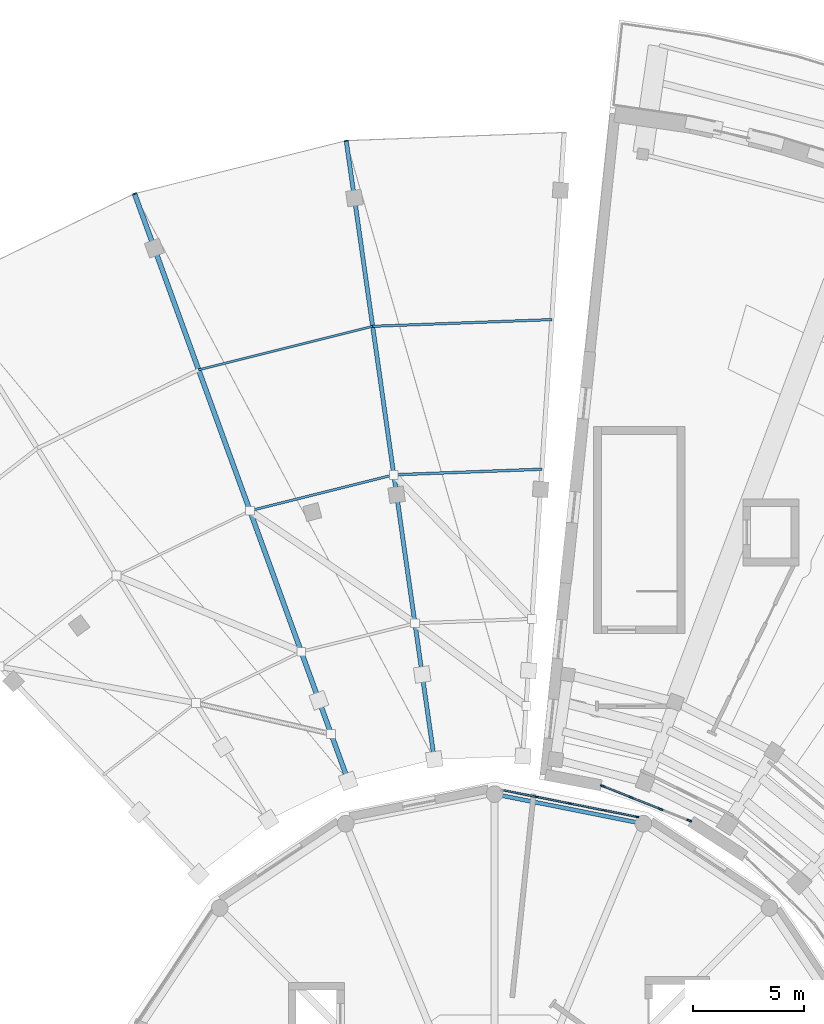
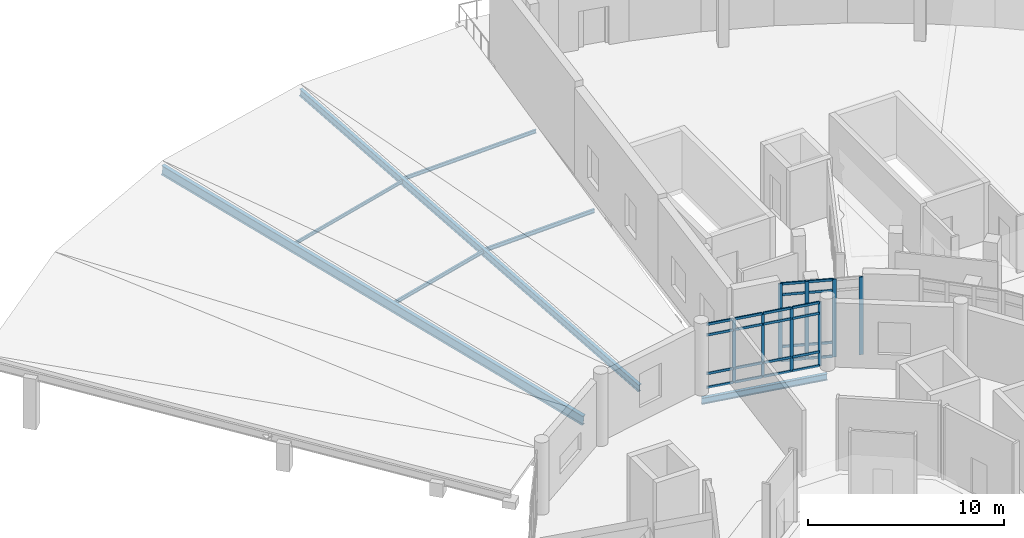
# One storey, part 13 of 27: 36 members, 3 beams, 2 elements without a shape of their own.
"""IFC4 building model written with IfcOpenShell, lengths in metres."""

from ifc_helpers import new_model, si_unit, direction, frame, origin, origin_2d, place, context, subcontext, project, spatial, rectangle, i_section, extrude, material, material_profile, profile_set, type_object, element, aggregate, save


model = new_model("IFC4")

# Units and contexts
model_context = context("Model", 3, precision=1e-05, world=origin(), true_north=direction((0.0, 1.0)))
body_context = subcontext(model_context, "Body", "Model", "MODEL_VIEW")
ifc_project = project(units=[si_unit("LENGTHUNIT", "METRE"), si_unit("AREAUNIT", "SQUARE_METRE"), si_unit("VOLUMEUNIT", "CUBIC_METRE"), si_unit("PLANEANGLEUNIT", "RADIAN"), si_unit("MASSUNIT", "GRAM", prefix="KILO")], contexts=[model_context])

# Site, building, storey
site_placement = place(None, origin())
site = spatial("IfcSite", under=ifc_project, at=site_placement, CompositionType="ELEMENT")
building_placement = place(site_placement, origin())
building = spatial("IfcBuilding", under=site, at=building_placement, Name="Soyqirgoq Riverine Aquarium", CompositionType="ELEMENT")
storey_placement = place(building_placement, frame((0.0, 0.0, 19.800048828125)))
storey = spatial("IfcBuildingStorey", under=building, at=storey_placement, Name="L05", CompositionType="ELEMENT", Elevation=19.800048828125)

# Curtain wall, members
ifc_material_1 = material(Name="Anodised aluminium thermally broken triple low-E glazing", Category="aluminium")
curtain_wall_type_1 = type_object("IfcCurtainWallType", Name="CW_DrumGallery_Unitised", PredefinedType="NOTDEFINED", material=ifc_material_1)
curtain_wall_1_placement = place(storey_placement, origin())
curtain_wall_1 = element("IfcCurtainWall", 1, at=curtain_wall_1_placement, inside=storey, type_object=curtain_wall_type_1, Name="V1 L05 Curtain Wall 016", PredefinedType="NOTDEFINED")
ifc_material_2 = material(Name="Anodised aluminium 6063-T6", Category="aluminium")
ifc_material_profile_1 = material_profile(ifc_material_2, rectangle(XDim=0.06494140625, YDim=0.179931640625, at=origin_2d()), Name="ALU-M 65x180")
ifc_profile_set_1 = profile_set([ifc_material_profile_1], Name="Anodised aluminium 6063-T6")
member_type_1 = type_object("IfcMemberType", Name="CWMullion_65x180", PredefinedType="MULLION", material=ifc_profile_set_1)
member_1_placement = place(storey_placement, frame((62.390380859375, 73.428955078125, 0.0), z_axis=(0.0, 0.0, 1.0), x_axis=(-0.19507834152, -0.980787663396, 0.0)))
member_1 = element("IfcMember", 2, at=member_1_placement, type_object=member_type_1, Name="CW-01 mullion 1", PredefinedType="MULLION", context=body_context, shape_type="SweptSolid", body=[
    extrude(rectangle(XDim=0.06494140625, YDim=0.179931640625, at=origin_2d()), origin(), (0.0, 0.0, 1.0), 4.0),
])
member_2_placement = place(storey_placement, frame((60.904541015625, 73.724365234375, 0.0), z_axis=(0.0, 0.0, 1.0), x_axis=(-0.19507834152, -0.980787663396, 0.0)))
member_2 = element("IfcMember", 3, at=member_2_placement, type_object=member_type_1, Name="CW-01 mullion 2", PredefinedType="MULLION", context=body_context, shape_type="SweptSolid", body=[
    extrude(rectangle(XDim=0.06494140625, YDim=0.179931640625, at=origin_2d()), origin(), (0.0, 0.0, 1.0), 4.0),
])
member_3_placement = place(storey_placement, frame((59.38671875, 74.0263671875, 0.0), z_axis=(0.0, 0.0, 1.0), x_axis=(-0.19507834152, -0.980787663396, 0.0)))
member_3 = element("IfcMember", 4, at=member_3_placement, type_object=member_type_1, Name="CW-01 mullion 3", PredefinedType="MULLION", context=body_context, shape_type="SweptSolid", body=[
    extrude(rectangle(XDim=0.06494140625, YDim=0.179931640625, at=origin_2d()), origin(), (0.0, 0.0, 1.0), 4.0),
])
member_4_placement = place(storey_placement, frame((57.869140625, 74.328125, 0.0), z_axis=(0.0, 0.0, 1.0), x_axis=(-0.19507834152, -0.980787663396, 0.0)))
member_4 = element("IfcMember", 5, at=member_4_placement, type_object=member_type_1, Name="CW-01 mullion 4", PredefinedType="MULLION", context=body_context, shape_type="SweptSolid", body=[
    extrude(rectangle(XDim=0.06494140625, YDim=0.179931640625, at=origin_2d()), origin(), (0.0, 0.0, 1.0), 4.0),
])

ifc_material_3 = material(Name="Anodised aluminium thermally broken double low-E glazing", Category="aluminium")
curtain_wall_type_2 = type_object("IfcCurtainWallType", Name="CW_Wedge_NorthBay", PredefinedType="NOTDEFINED", material=ifc_material_3)
curtain_wall_2_placement = place(storey_placement, origin())
curtain_wall_2 = element("IfcCurtainWall", 6, at=curtain_wall_2_placement, inside=storey, type_object=curtain_wall_type_2, Name="V5 L05 Curtain Wall 102", PredefinedType="NOTDEFINED")
ifc_material_4 = material(Name="Anodised aluminium 6063-T6", Category="aluminium")
ifc_material_profile_2 = material_profile(ifc_material_4, rectangle(XDim=0.080078125, YDim=0.219970703125, at=origin_2d()), Name="ALU-M 80x220")
ifc_profile_set_2 = profile_set([ifc_material_profile_2], Name="Anodised aluminium 6063-T6")
member_type_2 = type_object("IfcMemberType", Name="CWMullion_80x220", PredefinedType="MULLION", material=ifc_profile_set_2)
member_5_placement = place(storey_placement, frame((64.73876953125, 73.261474609375, 0.0), z_axis=(0.0, 0.0, 1.0), x_axis=(-0.37056928591, -0.928804825752, 0.0)))
member_5 = element("IfcMember", 7, at=member_5_placement, type_object=member_type_2, Name="CW-03 mullion 1", PredefinedType="MULLION", context=body_context, shape_type="SweptSolid", body=[
    extrude(rectangle(XDim=0.080078125, YDim=0.219970703125, at=origin_2d()), origin(), (0.0, 0.0, 1.0), 4.83984375),
])
member_6_placement = place(storey_placement, frame((63.45654296875, 73.773193359375, 0.0), z_axis=(0.0, 0.0, 1.0), x_axis=(-0.37056928591, -0.928804825752, 0.0)))
member_6 = element("IfcMember", 8, at=member_6_placement, type_object=member_type_2, Name="CW-03 mullion 2", PredefinedType="MULLION", context=body_context, shape_type="SweptSolid", body=[
    extrude(rectangle(XDim=0.080078125, YDim=0.219970703125, at=origin_2d()), origin(), (0.0, 0.0, 1.0), 4.83984375),
])
member_7_placement = place(storey_placement, frame((62.136962890625, 74.299560546875, 0.0), z_axis=(0.0, 0.0, 1.0), x_axis=(-0.37056928591, -0.928804825752, 0.0)))
member_7 = element("IfcMember", 9, at=member_7_placement, type_object=member_type_2, Name="CW-03 mullion 3", PredefinedType="MULLION", context=body_context, shape_type="SweptSolid", body=[
    extrude(rectangle(XDim=0.080078125, YDim=0.219970703125, at=origin_2d()), origin(), (0.0, 0.0, 1.0), 4.83984375),
])
member_8_placement = place(storey_placement, frame((60.854736328125, 74.811279296875, 0.0), z_axis=(0.0, 0.0, 1.0), x_axis=(-0.37056928591, -0.928804825752, 0.0)))
member_8 = element("IfcMember", 10, at=member_8_placement, type_object=member_type_2, Name="CW-03 mullion 4", PredefinedType="MULLION", context=body_context, shape_type="SweptSolid", body=[
    extrude(rectangle(XDim=0.080078125, YDim=0.219970703125, at=origin_2d()), origin(), (0.0, 0.0, 1.0), 4.83984375),
])

# Member
ifc_material_5 = material(Name="Anodised aluminium 6063-T6", Category="aluminium")
ifc_material_profile_3 = material_profile(ifc_material_5, rectangle(XDim=0.074951171875, YDim=0.14990234375, at=origin_2d()), Name="ALU-T 75x150")
ifc_profile_set_3 = profile_set([ifc_material_profile_3], Name="Anodised aluminium 6063-T6")
member_type_3 = type_object("IfcMemberType", Name="CWTransom_75x150", PredefinedType="USERDEFINED", material=ifc_profile_set_3)
member_9_placement = place(storey_placement, frame((62.3583984375, 73.435302734375, 0.037353515625), z_axis=(-0.980806684576, 0.194982685105, 0.0), x_axis=(-0.194982685105, -0.980806684576, 0.0)))
member_9 = element("IfcMember", 11, at=member_9_placement, type_object=member_type_3, Name="CW-01 transom 1.1", ObjectType="TRANSOM", PredefinedType="USERDEFINED", context=body_context, shape_type="SweptSolid", body=[
    extrude(rectangle(XDim=0.074951171875, YDim=0.14990234375, at=origin_2d()), origin(), (0.0, 0.0, 1.0), 1.449951171875),
])

member_10_placement = place(storey_placement, frame((62.3583984375, 73.435302734375, 0.89990234375), z_axis=(-0.980806684576, 0.194982685105, 0.0), x_axis=(-0.194982685105, -0.980806684576, 0.0)))
member_10 = element("IfcMember", 12, at=member_10_placement, type_object=member_type_3, Name="CW-01 transom 1.2", ObjectType="TRANSOM", PredefinedType="USERDEFINED", context=body_context, shape_type="SweptSolid", body=[
    extrude(rectangle(XDim=0.074951171875, YDim=0.14990234375, at=origin_2d()), origin(), (0.0, 0.0, 1.0), 1.449951171875),
])

member_11_placement = place(storey_placement, frame((62.3583984375, 73.435302734375, 3.300048828125), z_axis=(-0.980806684576, 0.194982685105, 0.0), x_axis=(-0.194982685105, -0.980806684576, 0.0)))
member_11 = element("IfcMember", 13, at=member_11_placement, type_object=member_type_3, Name="CW-01 transom 1.3", ObjectType="TRANSOM", PredefinedType="USERDEFINED", context=body_context, shape_type="SweptSolid", body=[
    extrude(rectangle(XDim=0.074951171875, YDim=0.14990234375, at=origin_2d()), origin(), (0.0, 0.0, 1.0), 1.449951171875),
])

member_12_placement = place(storey_placement, frame((62.3583984375, 73.435302734375, 3.96240234375), z_axis=(-0.980806684576, 0.194982685105, 0.0), x_axis=(-0.194982685105, -0.980806684576, 0.0)))
member_12 = element("IfcMember", 14, at=member_12_placement, type_object=member_type_3, Name="CW-01 transom 1.4", ObjectType="TRANSOM", PredefinedType="USERDEFINED", context=body_context, shape_type="SweptSolid", body=[
    extrude(rectangle(XDim=0.074951171875, YDim=0.14990234375, at=origin_2d()), origin(), (0.0, 0.0, 1.0), 1.449951171875),
])

member_13_placement = place(storey_placement, frame((60.87255859375, 73.730712890625, 0.037353515625), z_axis=(-0.980770250261, 0.19516586844, 0.0), x_axis=(-0.19516586844, -0.980770250261, 0.0)))
member_13 = element("IfcMember", 15, at=member_13_placement, type_object=member_type_3, Name="CW-01 transom 2.1", ObjectType="TRANSOM", PredefinedType="USERDEFINED", context=body_context, shape_type="SweptSolid", body=[
    extrude(rectangle(XDim=0.074951171875, YDim=0.14990234375, at=origin_2d()), origin(), (0.0, 0.0, 1.0), 1.482421875),
])

member_14_placement = place(storey_placement, frame((60.87255859375, 73.730712890625, 0.89990234375), z_axis=(-0.980770250261, 0.19516586844, 0.0), x_axis=(-0.19516586844, -0.980770250261, 0.0)))
member_14 = element("IfcMember", 16, at=member_14_placement, type_object=member_type_3, Name="CW-01 transom 2.2", ObjectType="TRANSOM", PredefinedType="USERDEFINED", context=body_context, shape_type="SweptSolid", body=[
    extrude(rectangle(XDim=0.074951171875, YDim=0.14990234375, at=origin_2d()), origin(), (0.0, 0.0, 1.0), 1.482421875),
])

member_15_placement = place(storey_placement, frame((60.87255859375, 73.730712890625, 3.300048828125), z_axis=(-0.980770250261, 0.19516586844, 0.0), x_axis=(-0.19516586844, -0.980770250261, 0.0)))
member_15 = element("IfcMember", 17, at=member_15_placement, type_object=member_type_3, Name="CW-01 transom 2.3", ObjectType="TRANSOM", PredefinedType="USERDEFINED", context=body_context, shape_type="SweptSolid", body=[
    extrude(rectangle(XDim=0.074951171875, YDim=0.14990234375, at=origin_2d()), origin(), (0.0, 0.0, 1.0), 1.482421875),
])

member_16_placement = place(storey_placement, frame((60.87255859375, 73.730712890625, 3.96240234375), z_axis=(-0.980770250261, 0.19516586844, 0.0), x_axis=(-0.19516586844, -0.980770250261, 0.0)))
member_16 = element("IfcMember", 18, at=member_16_placement, type_object=member_type_3, Name="CW-01 transom 2.4", ObjectType="TRANSOM", PredefinedType="USERDEFINED", context=body_context, shape_type="SweptSolid", body=[
    extrude(rectangle(XDim=0.074951171875, YDim=0.14990234375, at=origin_2d()), origin(), (0.0, 0.0, 1.0), 1.482421875),
])

member_17_placement = place(storey_placement, frame((59.35498046875, 74.03271484375, 0.037353515625), z_axis=(-0.980808025355, 0.194975940567, 0.0), x_axis=(-0.194975940567, -0.980808025355, 0.0)))
member_17 = element("IfcMember", 19, at=member_17_placement, type_object=member_type_3, Name="CW-01 transom 3.1", ObjectType="TRANSOM", PredefinedType="USERDEFINED", context=body_context, shape_type="SweptSolid", body=[
    extrude(rectangle(XDim=0.074951171875, YDim=0.14990234375, at=origin_2d()), origin(), (0.0, 0.0, 1.0), 1.482666015625),
])

member_18_placement = place(storey_placement, frame((59.35498046875, 74.03271484375, 0.89990234375), z_axis=(-0.980808025355, 0.194975940567, 0.0), x_axis=(-0.194975940567, -0.980808025355, 0.0)))
member_18 = element("IfcMember", 20, at=member_18_placement, type_object=member_type_3, Name="CW-01 transom 3.2", ObjectType="TRANSOM", PredefinedType="USERDEFINED", context=body_context, shape_type="SweptSolid", body=[
    extrude(rectangle(XDim=0.074951171875, YDim=0.14990234375, at=origin_2d()), origin(), (0.0, 0.0, 1.0), 1.482666015625),
])

member_19_placement = place(storey_placement, frame((59.35498046875, 74.03271484375, 3.300048828125), z_axis=(-0.980808025355, 0.194975940567, 0.0), x_axis=(-0.194975940567, -0.980808025355, 0.0)))
member_19 = element("IfcMember", 21, at=member_19_placement, type_object=member_type_3, Name="CW-01 transom 3.3", ObjectType="TRANSOM", PredefinedType="USERDEFINED", context=body_context, shape_type="SweptSolid", body=[
    extrude(rectangle(XDim=0.074951171875, YDim=0.14990234375, at=origin_2d()), origin(), (0.0, 0.0, 1.0), 1.482666015625),
])

member_20_placement = place(storey_placement, frame((59.35498046875, 74.03271484375, 3.96240234375), z_axis=(-0.980808025355, 0.194975940567, 0.0), x_axis=(-0.194975940567, -0.980808025355, 0.0)))
member_20 = element("IfcMember", 22, at=member_20_placement, type_object=member_type_3, Name="CW-01 transom 3.4", ObjectType="TRANSOM", PredefinedType="USERDEFINED", context=body_context, shape_type="SweptSolid", body=[
    extrude(rectangle(XDim=0.074951171875, YDim=0.14990234375, at=origin_2d()), origin(), (0.0, 0.0, 1.0), 1.482666015625),
])

member_21_placement = place(storey_placement, frame((57.837158203125, 74.33447265625, 0.037353515625), z_axis=(-0.980774471438, 0.195144654489, 0.0), x_axis=(-0.195144654489, -0.980774471438, 0.0)))
member_21 = element("IfcMember", 23, at=member_21_placement, type_object=member_type_3, Name="CW-01 transom 4.1", ObjectType="TRANSOM", PredefinedType="USERDEFINED", context=body_context, shape_type="SweptSolid", body=[
    extrude(rectangle(XDim=0.074951171875, YDim=0.14990234375, at=origin_2d()), origin(), (0.0, 0.0, 1.0), 1.449951171875),
])

member_22_placement = place(storey_placement, frame((57.837158203125, 74.33447265625, 0.89990234375), z_axis=(-0.980774471438, 0.195144654489, 0.0), x_axis=(-0.195144654489, -0.980774471438, 0.0)))
member_22 = element("IfcMember", 24, at=member_22_placement, type_object=member_type_3, Name="CW-01 transom 4.2", ObjectType="TRANSOM", PredefinedType="USERDEFINED", context=body_context, shape_type="SweptSolid", body=[
    extrude(rectangle(XDim=0.074951171875, YDim=0.14990234375, at=origin_2d()), origin(), (0.0, 0.0, 1.0), 1.449951171875),
])

member_23_placement = place(storey_placement, frame((57.837158203125, 74.33447265625, 3.300048828125), z_axis=(-0.980774471438, 0.195144654489, 0.0), x_axis=(-0.195144654489, -0.980774471438, 0.0)))
member_23 = element("IfcMember", 25, at=member_23_placement, type_object=member_type_3, Name="CW-01 transom 4.3", ObjectType="TRANSOM", PredefinedType="USERDEFINED", context=body_context, shape_type="SweptSolid", body=[
    extrude(rectangle(XDim=0.074951171875, YDim=0.14990234375, at=origin_2d()), origin(), (0.0, 0.0, 1.0), 1.449951171875),
])

member_24_placement = place(storey_placement, frame((57.837158203125, 74.33447265625, 3.96240234375), z_axis=(-0.980774471438, 0.195144654489, 0.0), x_axis=(-0.195144654489, -0.980774471438, 0.0)))
member_24 = element("IfcMember", 26, at=member_24_placement, type_object=member_type_3, Name="CW-01 transom 4.4", ObjectType="TRANSOM", PredefinedType="USERDEFINED", context=body_context, shape_type="SweptSolid", body=[
    extrude(rectangle(XDim=0.074951171875, YDim=0.14990234375, at=origin_2d()), origin(), (0.0, 0.0, 1.0), 1.449951171875),
])

aggregate(curtain_wall_1, [member_1, member_2, member_3, member_4, member_9, member_10, member_11, member_12, member_13, member_14, member_15, member_16, member_17, member_18, member_19, member_20, member_21, member_22, member_23, member_24])

member_25_placement = place(storey_placement, frame((63.41943359375, 73.787841796875, 0.037353515625), z_axis=(-0.928790351735, 0.370605561918, 0.0), x_axis=(-0.370605561918, -0.928790351735, 0.0)))
member_25 = element("IfcMember", 27, at=member_25_placement, type_object=member_type_3, Name="CW-03 transom 2.1", ObjectType="TRANSOM", PredefinedType="USERDEFINED", context=body_context, shape_type="SweptSolid", body=[
    extrude(rectangle(XDim=0.074951171875, YDim=0.14990234375, at=origin_2d()), origin(), (0.0, 0.0, 1.0), 1.340576171875),
])

member_26_placement = place(storey_placement, frame((63.41943359375, 73.787841796875, 0.89990234375), z_axis=(-0.928790351735, 0.370605561918, 0.0), x_axis=(-0.370605561918, -0.928790351735, 0.0)))
member_26 = element("IfcMember", 28, at=member_26_placement, type_object=member_type_3, Name="CW-03 transom 2.2", ObjectType="TRANSOM", PredefinedType="USERDEFINED", context=body_context, shape_type="SweptSolid", body=[
    extrude(rectangle(XDim=0.074951171875, YDim=0.14990234375, at=origin_2d()), origin(), (0.0, 0.0, 1.0), 1.340576171875),
])

member_27_placement = place(storey_placement, frame((63.41943359375, 73.787841796875, 4.139892578125), z_axis=(-0.928790351735, 0.370605561918, 0.0), x_axis=(-0.370605561918, -0.928790351735, 0.0)))
member_27 = element("IfcMember", 29, at=member_27_placement, type_object=member_type_3, Name="CW-03 transom 2.3", ObjectType="TRANSOM", PredefinedType="USERDEFINED", context=body_context, shape_type="SweptSolid", body=[
    extrude(rectangle(XDim=0.074951171875, YDim=0.14990234375, at=origin_2d()), origin(), (0.0, 0.0, 1.0), 1.340576171875),
])

member_28_placement = place(storey_placement, frame((63.41943359375, 73.787841796875, 4.802490234375), z_axis=(-0.928790351735, 0.370605561918, 0.0), x_axis=(-0.370605561918, -0.928790351735, 0.0)))
member_28 = element("IfcMember", 30, at=member_28_placement, type_object=member_type_3, Name="CW-03 transom 2.4", ObjectType="TRANSOM", PredefinedType="USERDEFINED", context=body_context, shape_type="SweptSolid", body=[
    extrude(rectangle(XDim=0.074951171875, YDim=0.14990234375, at=origin_2d()), origin(), (0.0, 0.0, 1.0), 1.340576171875),
])

member_29_placement = place(storey_placement, frame((62.099853515625, 74.314453125, 0.037353515625), z_axis=(-0.928812901649, 0.370549043625, 0.0), x_axis=(-0.370549043625, -0.928812901649, 0.0)))
member_29 = element("IfcMember", 31, at=member_29_placement, type_object=member_type_3, Name="CW-03 transom 3.1", ObjectType="TRANSOM", PredefinedType="USERDEFINED", context=body_context, shape_type="SweptSolid", body=[
    extrude(rectangle(XDim=0.074951171875, YDim=0.14990234375, at=origin_2d()), origin(), (0.0, 0.0, 1.0), 1.300537109375),
])

member_30_placement = place(storey_placement, frame((62.099853515625, 74.314453125, 0.89990234375), z_axis=(-0.928812901649, 0.370549043625, 0.0), x_axis=(-0.370549043625, -0.928812901649, 0.0)))
member_30 = element("IfcMember", 32, at=member_30_placement, type_object=member_type_3, Name="CW-03 transom 3.2", ObjectType="TRANSOM", PredefinedType="USERDEFINED", context=body_context, shape_type="SweptSolid", body=[
    extrude(rectangle(XDim=0.074951171875, YDim=0.14990234375, at=origin_2d()), origin(), (0.0, 0.0, 1.0), 1.300537109375),
])

member_31_placement = place(storey_placement, frame((62.099853515625, 74.314453125, 4.139892578125), z_axis=(-0.928812901649, 0.370549043625, 0.0), x_axis=(-0.370549043625, -0.928812901649, 0.0)))
member_31 = element("IfcMember", 33, at=member_31_placement, type_object=member_type_3, Name="CW-03 transom 3.3", ObjectType="TRANSOM", PredefinedType="USERDEFINED", context=body_context, shape_type="SweptSolid", body=[
    extrude(rectangle(XDim=0.074951171875, YDim=0.14990234375, at=origin_2d()), origin(), (0.0, 0.0, 1.0), 1.300537109375),
])

member_32_placement = place(storey_placement, frame((62.099853515625, 74.314453125, 4.802490234375), z_axis=(-0.928812901649, 0.370549043625, 0.0), x_axis=(-0.370549043625, -0.928812901649, 0.0)))
member_32 = element("IfcMember", 34, at=member_32_placement, type_object=member_type_3, Name="CW-03 transom 3.4", ObjectType="TRANSOM", PredefinedType="USERDEFINED", context=body_context, shape_type="SweptSolid", body=[
    extrude(rectangle(XDim=0.074951171875, YDim=0.14990234375, at=origin_2d()), origin(), (0.0, 0.0, 1.0), 1.300537109375),
])

aggregate(curtain_wall_2, [member_5, member_6, member_7, member_8, member_25, member_26, member_27, member_28, member_29, member_30, member_31, member_32])

# Beams
ifc_material_6 = material(Name="Structural steel S355", Category="steel")
ifc_material_profile_4 = material_profile(ifc_material_6, i_section(OverallWidth=0.18994140625, OverallDepth=0.449951171875, WebThickness=0.009521484375, FlangeThickness=0.0146484375, FilletRadius=0.02099609375, at=origin_2d()), Name="IPE 450")
ifc_profile_set_4 = profile_set([ifc_material_profile_4], Name="Structural steel S355")
beam_type_1 = type_object("IfcBeamType", Name="Outrigger_IPE450", PredefinedType="BEAM", material=ifc_profile_set_4)
beam_1_placement = place(storey_placement, frame((53.294677734375, 76.008544921875, 0.238525390625), z_axis=(-0.140098717134, 0.984421100683, 0.106242392608), x_axis=(-0.990024380596, -0.140896152629, 0.0)))
element("IfcBeam", 35, at=beam_1_placement, inside=storey, type_object=beam_type_1, Name="V4 Prairie Cantilever Eave Rafter 02", PredefinedType="BEAM", context=body_context, shape_type="SweptSolid", body=[
    extrude(i_section(OverallWidth=0.18994140625, OverallDepth=0.449951171875, WebThickness=0.009521484375, FlangeThickness=0.0146484375, FilletRadius=0.02099609375, at=origin_2d()), origin(), (0.0, 0.0, 1.0), 28.209716796875),
])
ifc_material_7 = material(Name="Structural steel S355", Category="steel")
ifc_material_profile_5 = material_profile(ifc_material_7, i_section(OverallWidth=0.219970703125, OverallDepth=0.60009765625, WebThickness=0.011962890625, FlangeThickness=0.01904296875, FilletRadius=0.02392578125, at=origin_2d()), Name="IPE 600")
ifc_profile_set_5 = profile_set([ifc_material_profile_5], Name="Structural steel S355")
beam_type_2 = type_object("IfcBeamType", Name="Outrigger_IPE600", PredefinedType="BEAM", material=ifc_profile_set_5)
beam_2_placement = place(storey_placement, frame((49.43310546875, 75.0419921875, 0.183349609375), z_axis=(-0.340079167837, 0.934376059965, 0.106242826425), x_axis=(-0.939694529599, -0.342014898861, 0.0)))
element("IfcBeam", 36, at=beam_2_placement, inside=storey, type_object=beam_type_2, Name="V4 Prairie Cantilever Eave Rafter 03", PredefinedType="BEAM", context=body_context, shape_type="SweptSolid", body=[
    extrude(i_section(OverallWidth=0.219970703125, OverallDepth=0.60009765625, WebThickness=0.011962890625, FlangeThickness=0.01904296875, FilletRadius=0.02392578125, at=origin_2d()), origin(), (0.0, 0.0, 1.0), 28.209716796875),
])

# Members
ifc_material_8 = material(Name="Structural steel S355", Category="steel")
ifc_material_profile_6 = material_profile(ifc_material_8, i_section(OverallWidth=0.10009765625, OverallDepth=0.199951171875, WebThickness=0.005615234375, FlangeThickness=0.008544921875, FilletRadius=0.011962890625, at=origin_2d()), Name="IPE 200")
ifc_profile_set_6 = profile_set([ifc_material_profile_6], Name="Structural steel S355")
member_type_4 = type_object("IfcMemberType", Name="Purlin_IPE200", PredefinedType="PURLIN", material=ifc_profile_set_6)
member_33_placement = place(storey_placement, frame((50.5283203125, 95.447509765625, 2.2958984375), z_axis=(-0.969850918736, -0.242697666846, -0.022068935981), x_axis=(0.242756789928, -0.970087182136, 0.0)))
element("IfcMember", 37, at=member_33_placement, inside=storey, type_object=member_type_4, Name="V4 Prairie Roof Purlin 0179", PredefinedType="PURLIN", context=body_context, shape_type="SweptSolid", body=[
    extrude(i_section(OverallWidth=0.10009765625, OverallDepth=0.199951171875, WebThickness=0.005615234375, FlangeThickness=0.008544921875, FilletRadius=0.011962890625, at=origin_2d()), origin(), (0.0, 0.0, 1.0), 8.0537109375),
])
ifc_material_9 = material(Name="Structural steel S355", Category="steel")
ifc_material_profile_7 = material_profile(ifc_material_9, i_section(OverallWidth=0.110107421875, OverallDepth=0.219970703125, WebThickness=0.005859375, FlangeThickness=0.00927734375, FilletRadius=0.011962890625, at=origin_2d()), Name="IPE 220")
ifc_profile_set_7 = profile_set([ifc_material_profile_7], Name="Structural steel S355")
member_type_5 = type_object("IfcMemberType", Name="Purlin_IPE220", PredefinedType="PURLIN", material=ifc_profile_set_7)
member_34_placement = place(storey_placement, frame((58.57373046875, 95.74951171875, 2.43115234375), z_axis=(-0.999296223969, -0.037510755266, 0.0), x_axis=(0.037510755266, -0.999296223969, 0.0)))
element("IfcMember", 38, at=member_34_placement, inside=storey, type_object=member_type_5, Name="V4 Prairie Roof Purlin 0175", PredefinedType="PURLIN", context=body_context, shape_type="SweptSolid", body=[
    extrude(i_section(OverallWidth=0.110107421875, OverallDepth=0.219970703125, WebThickness=0.005859375, FlangeThickness=0.00927734375, FilletRadius=0.011962890625, at=origin_2d()), origin(), (0.0, 0.0, 1.0), 8.051025390625),
])
member_35_placement = place(storey_placement, frame((51.476806640625, 88.78271484375, 1.6591796875), z_axis=(-0.969852898095, -0.242692421809, -0.022039610986), x_axis=(0.24275138654, -0.970088534275, 0.0)))
element("IfcMember", 39, at=member_35_placement, inside=storey, type_object=member_type_5, Name="V4 Prairie Roof Purlin 0178", PredefinedType="PURLIN", context=body_context, shape_type="SweptSolid", body=[
    extrude(i_section(OverallWidth=0.110107421875, OverallDepth=0.219970703125, WebThickness=0.005859375, FlangeThickness=0.00927734375, FilletRadius=0.011962890625, at=origin_2d()), origin(), (0.0, 0.0, 1.0), 6.657470703125),
])
ifc_material_10 = material(Name="Structural steel S355", Category="steel")
ifc_material_profile_8 = material_profile(ifc_material_10, i_section(OverallWidth=0.1201171875, OverallDepth=0.239990234375, WebThickness=0.006103515625, FlangeThickness=0.009765625, FilletRadius=0.014892578125, at=origin_2d()), Name="IPE 240")
ifc_profile_set_8 = profile_set([ifc_material_profile_8], Name="Structural steel S355")
member_type_6 = type_object("IfcMemberType", Name="Purlin_IPE240", PredefinedType="PURLIN", material=ifc_profile_set_8)
member_36_placement = place(storey_placement, frame((58.127685546875, 89.032470703125, 1.70556640625), z_axis=(-0.999295656895, -0.037525859225, 0.0), x_axis=(0.037525859225, -0.999295656895, 0.0)))
element("IfcMember", 40, at=member_36_placement, inside=storey, type_object=member_type_6, Name="V4 Prairie Roof Purlin 0174", PredefinedType="PURLIN", context=body_context, shape_type="SweptSolid", body=[
    extrude(i_section(OverallWidth=0.1201171875, OverallDepth=0.239990234375, WebThickness=0.006103515625, FlangeThickness=0.009765625, FilletRadius=0.014892578125, at=origin_2d()), origin(), (0.0, 0.0, 1.0), 6.655517578125),
])

# Beam
ifc_material_11 = material(Name="Structural steel S355", Category="steel")
ifc_material_profile_9 = material_profile(ifc_material_11, i_section(OverallWidth=0.179931640625, OverallDepth=0.39990234375, WebThickness=0.008544921875, FlangeThickness=0.013427734375, FilletRadius=0.02099609375, at=origin_2d()), Name="IPE 400")
ifc_profile_set_9 = profile_set([ifc_material_profile_9], Name="Structural steel S355")
beam_type_3 = type_object("IfcBeamType", Name="Spandrel_Steel_IPE400", PredefinedType="SPANDREL", material=ifc_profile_set_9)
beam_3_placement = place(storey_placement, frame((62.658203125, 73.12548828125, -0.550048828125), z_axis=(-0.980784073274, 0.195096390568, 0.0), x_axis=(-0.195096390568, -0.980784073274, 0.0)))
element("IfcBeam", 41, at=beam_3_placement, inside=storey, type_object=beam_type_3, Name="V1 L05 Drum Spandrel Beam 0121", PredefinedType="SPANDREL", context=body_context, shape_type="SweptSolid", body=[
    extrude(i_section(OverallWidth=0.179931640625, OverallDepth=0.39990234375, WebThickness=0.008544921875, FlangeThickness=0.013427734375, FilletRadius=0.02099609375, at=origin_2d()), origin(), (0.0, 0.0, 1.0), 6.768798828125),
])

save(model, "model.ifc")
